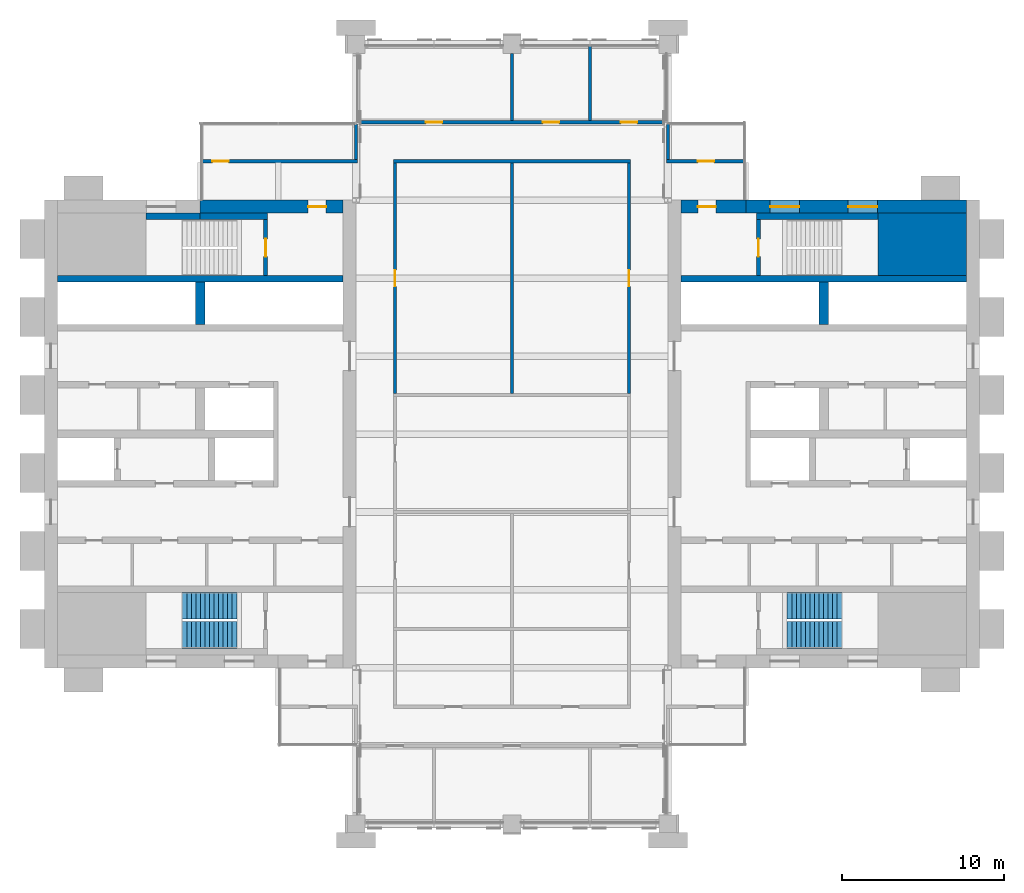
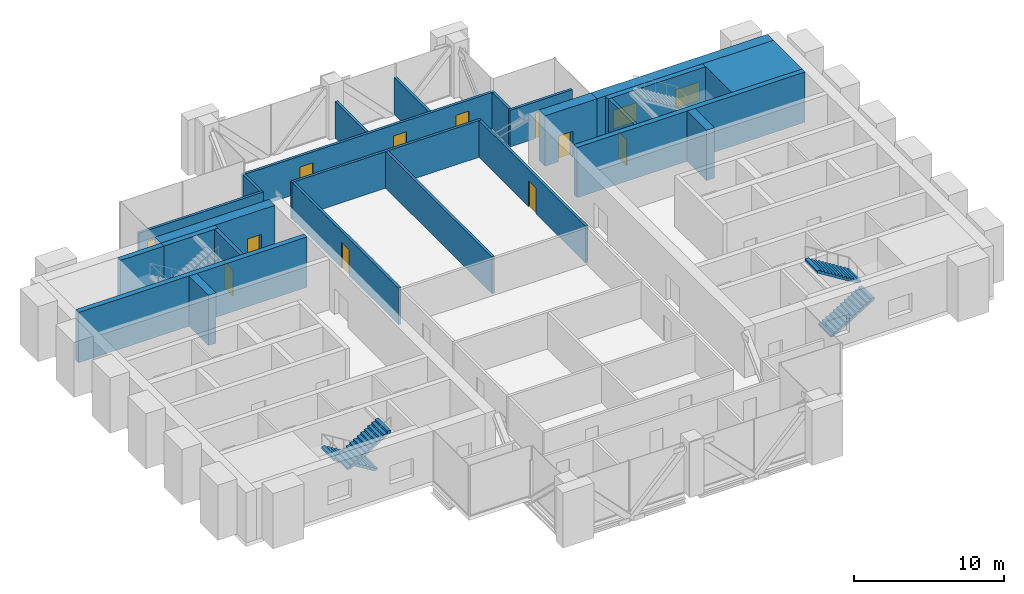
# One storey, part 11 of 13: 24 walls, 11 doors, 4 stair flights, 2 windows, 13 openings, 2 elements without a shape of their own.
"""IFC4 building model written with IfcOpenShell, lengths in metres."""

from ifc_helpers import new_model, si_unit, direction, frame, frame_2d, origin, place, context, subcontext, project, spatial, polyline, rectangle, outline, extrude, material, layer, layer_set, type_object, element, fill, aggregate, save


model = new_model("IFC4")

# Units and contexts
model_context = context("Model", 3, precision=1e-05, world=origin(), true_north=direction((0.0, 1.0)))
body_context = subcontext(model_context, "Body", "Model", "MODEL_VIEW")
ifc_project = project(units=[si_unit("LENGTHUNIT", "METRE"), si_unit("AREAUNIT", "SQUARE_METRE"), si_unit("VOLUMEUNIT", "CUBIC_METRE"), si_unit("PLANEANGLEUNIT", "RADIAN"), si_unit("MASSUNIT", "GRAM", prefix="KILO")], contexts=[model_context])

# Site, building, storey
site_placement = place(None, origin())
site = spatial("IfcSite", under=ifc_project, at=site_placement, CompositionType="ELEMENT")
building_placement = place(site_placement, origin())
building = spatial("IfcBuilding", under=site, at=building_placement, Name="Baori Bourse Tower", CompositionType="ELEMENT")
storey_placement = place(building_placement, frame((0.0, 0.0, 265.199951171875)))
storey = spatial("IfcBuildingStorey", under=building, at=storey_placement, Name="L59", CompositionType="ELEMENT", Elevation=265.199951171875)

# Wall
ifc_material_1 = material(Name="Concrete f'c 50 MPa", Category="concrete")
wall_type_1 = type_object("IfcWallType", Name="Core corner block f'c 50", PredefinedType="SHEAR", material=ifc_material_1)
wall_1_placement = place(storey_placement, frame((51.35009765625, 35.675048828125, 0.0), z_axis=(0.0, 0.0, 1.0), x_axis=(1.0, 0.0, 0.0)))
element("IfcWall", 1, at=wall_1_placement, inside=storey, type_object=wall_type_1, Name="Core wall E24", PredefinedType="SHEAR", context=body_context, shape_type="SweptSolid", body=[
    extrude(rectangle(XDim=5.449951171875, YDim=3.85009765625, at=frame_2d((2.72509765625, 0.0))), origin(), (0.0, 0.0, 1.0), 4.10009765625),
])

# Wall, opening, door
ifc_material_2 = material(Name="Concrete f'c 50 MPa", Category="concrete")
ifc_layer_1 = layer(ifc_material_2, 0.800048828125)
ifc_layer_set_1 = layer_set([ifc_layer_1], Name="Core wall 800 f'c 50")
wall_type_2 = type_object("IfcWallType", Name="Core wall 800 f'c 50", PredefinedType="SHEAR", material=ifc_layer_set_1)
wall_2_placement = place(storey_placement, frame((9.60009765625, 38.0, 0.0), z_axis=(0.0, 0.0, 1.0), x_axis=(1.0, 0.0, 0.0)))
wall_2 = element("IfcWall", 2, at=wall_2_placement, inside=storey, type_object=wall_type_2, Name="Core wall W29", PredefinedType="SHEAR", context=body_context, shape_type="SweptSolid", body=[
    extrude(rectangle(XDim=8.7998046875, YDim=0.800048828125, at=frame_2d((4.39990234375, 0.0))), origin(), (0.0, 0.0, 1.0), 4.10009765625),
])
opening_1_placement = place(wall_2_placement, frame((6.64990234375, 0.0, 0.0)))
opening_1 = element("IfcOpeningElement", 3, at=opening_1_placement, cuts=wall_2, Name="Opening L59-D104", PredefinedType="OPENING", context=body_context, shape_type="SweptSolid", body=[
    extrude(rectangle(XDim=1.10009765625, YDim=2.10009765625, at=frame_2d((0.550048828125, 1.050048828125))), frame((0.0, 0.409912109375, 0.0), z_axis=(0.0, -1.0, 0.0), x_axis=(1.0, 0.0, 0.0)), (0.0, 0.0, 1.0), 0.820068359375),
])
ifc_material_3 = material(Name="Painted steel door", Category="steel")
door_type_1 = type_object("IfcDoorType", Name="Stair door 1100", OperationType="SINGLE_SWING_LEFT", PredefinedType="DOOR", material=ifc_material_3)
door_1_placement = place(opening_1_placement, origin())
door_1 = element("IfcDoor", 4, at=door_1_placement, inside=storey, type_object=door_type_1, Name="Stair vestibule door B W L59", OperationType="SINGLE_SWING_LEFT", OverallHeight=2.10009765625, OverallWidth=1.10009765625, PredefinedType="DOOR", context=body_context, shape_type="SweptSolid", body=[
    extrude(rectangle(XDim=1.10009765625, YDim=2.10009765625, at=frame_2d((0.550048828125, 1.050048828125))), frame((0.0, 0.02490234375, 0.0), z_axis=(0.0, -1.0, 0.0), x_axis=(1.0, 0.0, 0.0)), (0.0, 0.0, 1.0), 0.050048828125),
])
fill(opening_1, door_1)

# Wall, openings, windows
wall_3_placement = place(storey_placement, frame((43.199951171875, 38.0, 0.0), z_axis=(0.0, 0.0, 1.0), x_axis=(1.0, 0.0, 0.0)))
wall_3 = element("IfcWall", 5, at=wall_3_placement, inside=storey, type_object=wall_type_2, Name="Core wall E27", PredefinedType="SHEAR", context=body_context, shape_type="SweptSolid", body=[
    extrude(rectangle(XDim=13.60009765625, YDim=0.800048828125, at=frame_2d((6.800048828125, 0.0))), origin(), (0.0, 0.0, 1.0), 4.10009765625),
])
opening_2_placement = place(wall_3_placement, frame((6.300048828125, 0.0, 0.89990234375)))
opening_2 = element("IfcOpeningElement", 6, at=opening_2_placement, cuts=wall_3, Name="Opening L59-KW205", PredefinedType="OPENING", context=body_context, shape_type="SweptSolid", body=[
    extrude(rectangle(XDim=1.800048828125, YDim=1.5, at=frame_2d((0.89990234375, 0.75))), frame((0.0, 0.409912109375, 0.0), z_axis=(0.0, -1.0, 0.0), x_axis=(1.0, 0.0, 0.0)), (0.0, 0.0, 1.0), 0.820068359375),
])
opening_3_placement = place(wall_3_placement, frame((1.5, 0.0, 0.89990234375)))
opening_3 = element("IfcOpeningElement", 7, at=opening_3_placement, cuts=wall_3, Name="Opening L59-KW206", PredefinedType="OPENING", context=body_context, shape_type="SweptSolid", body=[
    extrude(rectangle(XDim=1.800048828125, YDim=1.5, at=frame_2d((0.89990234375, 0.75))), frame((0.0, 0.409912109375, 0.0), z_axis=(0.0, -1.0, 0.0), x_axis=(1.0, 0.0, 0.0)), (0.0, 0.0, 1.0), 0.820068359375),
])
ifc_material_4 = material(Name="Pale anodised aluminium", Category="aluminium")
window_type = type_object("IfcWindowType", Name="Stair window 1800 x 1500", PartitioningType="SINGLE_PANEL", PredefinedType="WINDOW", material=ifc_material_4)
window_1_placement = place(opening_2_placement, origin())
window_1 = element("IfcWindow", 8, at=window_1_placement, inside=storey, type_object=window_type, Name="Stair window E L59 5", OverallHeight=1.5, OverallWidth=1.800048828125, PartitioningType="SINGLE_PANEL", PredefinedType="WINDOW", context=body_context, shape_type="SweptSolid", body=[
    extrude(rectangle(XDim=1.800048828125, YDim=1.5, at=frame_2d((0.89990234375, 0.75))), frame((0.0, 0.030029296875, 0.0), z_axis=(0.0, -1.0, 0.0), x_axis=(1.0, 0.0, 0.0)), (0.0, 0.0, 1.0), 0.06005859375),
])
fill(opening_2, window_1)
window_2_placement = place(opening_3_placement, origin())
window_2 = element("IfcWindow", 9, at=window_2_placement, inside=storey, type_object=window_type, Name="Stair window E L59 6", OverallHeight=1.5, OverallWidth=1.800048828125, PartitioningType="SINGLE_PANEL", PredefinedType="WINDOW", context=body_context, shape_type="SweptSolid", body=[
    extrude(rectangle(XDim=1.800048828125, YDim=1.5, at=frame_2d((0.89990234375, 0.75))), frame((0.0, 0.030029296875, 0.0), z_axis=(0.0, -1.0, 0.0), x_axis=(1.0, 0.0, 0.0)), (0.0, 0.0, 1.0), 0.06005859375),
])
fill(opening_3, window_2)

# Wall, opening, door
wall_4_placement = place(storey_placement, frame((39.199951171875, 38.0, 0.0), z_axis=(0.0, 0.0, 1.0), x_axis=(1.0, 0.0, 0.0)))
wall_4 = element("IfcWall", 10, at=wall_4_placement, inside=storey, type_object=wall_type_2, Name="Core wall E28", PredefinedType="SHEAR", context=body_context, shape_type="SweptSolid", body=[
    extrude(rectangle(XDim=4.0, YDim=0.800048828125, at=frame_2d((2.0, 0.0))), origin(), (0.0, 0.0, 1.0), 4.10009765625),
])
opening_4_placement = place(wall_4_placement, frame((1.050048828125, 0.0, 0.0)))
opening_4 = element("IfcOpeningElement", 11, at=opening_4_placement, cuts=wall_4, Name="Opening L59-D204", PredefinedType="OPENING", context=body_context, shape_type="SweptSolid", body=[
    extrude(rectangle(XDim=1.10009765625, YDim=2.10009765625, at=frame_2d((0.550048828125, 1.050048828125))), frame((0.0, 0.409912109375, 0.0), z_axis=(0.0, -1.0, 0.0), x_axis=(1.0, 0.0, 0.0)), (0.0, 0.0, 1.0), 0.820068359375),
])
door_2_placement = place(opening_4_placement, origin())
door_2 = element("IfcDoor", 12, at=door_2_placement, inside=storey, type_object=door_type_1, Name="Stair vestibule door B E L59", OperationType="SINGLE_SWING_LEFT", OverallHeight=2.10009765625, OverallWidth=1.10009765625, PredefinedType="DOOR", context=body_context, shape_type="SweptSolid", body=[
    extrude(rectangle(XDim=1.10009765625, YDim=2.10009765625, at=frame_2d((0.550048828125, 1.050048828125))), frame((0.0, 0.02490234375, 0.0), z_axis=(0.0, -1.0, 0.0), x_axis=(1.0, 0.0, 0.0)), (0.0, 0.0, 1.0), 0.050048828125),
])
fill(opening_4, door_2)

ifc_material_5 = material(Name="Gypsum board partition")
ifc_layer_2 = layer(ifc_material_5, 0.199951171875)
ifc_layer_set_2 = layer_set([ifc_layer_2], Name="Plant room wall 200")
wall_type_3 = type_object("IfcWallType", Name="Plant room wall 200", PredefinedType="PARTITIONING", material=ifc_layer_set_2)
wall_5_placement = place(storey_placement, frame((9.699951171875, 40.800048828125, 0.0), z_axis=(0.0, 0.0, 1.0), x_axis=(1.0, 0.0, 0.0)))
wall_5 = element("IfcWall", 13, at=wall_5_placement, inside=storey, type_object=wall_type_3, Name="Partition", PredefinedType="PARTITIONING", context=body_context, shape_type="SweptSolid", body=[
    extrude(rectangle(XDim=9.60009765625, YDim=0.199951171875, at=frame_2d((4.800048828125, 0.0))), origin(), (0.0, 0.0, 1.0), 2.99267578125),
])
opening_5_placement = place(wall_5_placement, frame((0.64990234375, 0.0, 0.0)))
opening_5 = element("IfcOpeningElement", 14, at=opening_5_placement, cuts=wall_5, Name="Opening L59-D08", PredefinedType="OPENING", context=body_context, shape_type="SweptSolid", body=[
    extrude(rectangle(XDim=1.0, YDim=2.10009765625, at=frame_2d((0.5, 1.050048828125))), frame((0.0, 0.10986328125, 0.0), z_axis=(0.0, -1.0, 0.0), x_axis=(1.0, 0.0, 0.0)), (0.0, 0.0, 1.0), 0.219970703125),
])
ifc_material_6 = material(Name="Timber door leaf", Category="wood")
door_type_2 = type_object("IfcDoorType", Name="Door 1000 x 2100", OperationType="SINGLE_SWING_LEFT", PredefinedType="DOOR", material=ifc_material_6)
door_3_placement = place(opening_5_placement, origin())
door_3 = element("IfcDoor", 15, at=door_3_placement, inside=storey, type_object=door_type_2, Name="Door", OperationType="SINGLE_SWING_RIGHT", OverallHeight=2.10009765625, OverallWidth=1.0, PredefinedType="DOOR", context=body_context, shape_type="SweptSolid", body=[
    extrude(rectangle(XDim=1.0, YDim=2.10009765625, at=frame_2d((0.5, 1.050048828125))), frame((0.0, 0.02490234375, 0.0), z_axis=(0.0, -1.0, 0.0), x_axis=(1.0, 0.0, 0.0)), (0.0, 0.0, 1.0), 0.050048828125),
])
fill(opening_5, door_3)

# Wall
wall_6_placement = place(storey_placement, frame((21.5, 40.800048828125, 0.0), z_axis=(0.0, 0.0, 1.0), x_axis=(1.0, 0.0, 0.0)))
element("IfcWall", 16, at=wall_6_placement, inside=storey, type_object=wall_type_3, Name="Partition", PredefinedType="PARTITIONING", context=body_context, shape_type="SweptSolid", body=[
    extrude(rectangle(XDim=14.60009765625, YDim=0.199951171875, at=frame_2d((7.300048828125, 0.0))), origin(), (0.0, 0.0, 1.0), 2.99267578125),
])

# Wall, opening, door
wall_7_placement = place(storey_placement, frame((38.300048828125, 40.800048828125, 0.0), z_axis=(0.0, 0.0, 1.0), x_axis=(1.0, 0.0, 0.0)))
wall_7 = element("IfcWall", 17, at=wall_7_placement, inside=storey, type_object=wall_type_3, Name="Partition", PredefinedType="PARTITIONING", context=body_context, shape_type="SweptSolid", body=[
    extrude(rectangle(XDim=4.800048828125, YDim=0.199951171875, at=frame_2d((2.39990234375, 0.0))), origin(), (0.0, 0.0, 1.0), 2.99267578125),
])
opening_6_placement = place(wall_7_placement, frame((1.949951171875, 0.0, 0.0)))
opening_6 = element("IfcOpeningElement", 18, at=opening_6_placement, cuts=wall_7, Name="Opening L59-D09", PredefinedType="OPENING", context=body_context, shape_type="SweptSolid", body=[
    extrude(rectangle(XDim=1.0, YDim=2.10009765625, at=frame_2d((0.5, 1.050048828125))), frame((0.0, 0.10986328125, 0.0), z_axis=(0.0, -1.0, 0.0), x_axis=(1.0, 0.0, 0.0)), (0.0, 0.0, 1.0), 0.219970703125),
])
door_4_placement = place(opening_6_placement, origin())
door_4 = element("IfcDoor", 19, at=door_4_placement, inside=storey, type_object=door_type_2, Name="Door", OperationType="SINGLE_SWING_LEFT", OverallHeight=2.10009765625, OverallWidth=1.0, PredefinedType="DOOR", context=body_context, shape_type="SweptSolid", body=[
    extrude(rectangle(XDim=1.0, YDim=2.10009765625, at=frame_2d((0.5, 1.050048828125))), frame((0.0, 0.02490234375, 0.0), z_axis=(0.0, -1.0, 0.0), x_axis=(1.0, 0.0, 0.0)), (0.0, 0.0, 1.0), 0.050048828125),
])
fill(opening_6, door_4)

# Wall, openings, doors
wall_8_placement = place(storey_placement, frame((19.10009765625, 43.199951171875, 0.0), z_axis=(0.0, 0.0, 1.0), x_axis=(1.0, 0.0, 0.0)))
wall_8 = element("IfcWall", 20, at=wall_8_placement, inside=storey, type_object=wall_type_3, Name="Partition", PredefinedType="PARTITIONING", context=body_context, shape_type="SweptSolid", body=[
    extrude(rectangle(XDim=19.39990234375, YDim=0.199951171875, at=frame_2d((9.699951171875, 0.0))), origin(), (0.0, 0.0, 1.0), 2.99267578125),
])
opening_7_placement = place(wall_8_placement, frame((4.39990234375, 0.0, 0.0)))
opening_7 = element("IfcOpeningElement", 21, at=opening_7_placement, cuts=wall_8, Name="Opening L59-D10", PredefinedType="OPENING", context=body_context, shape_type="SweptSolid", body=[
    extrude(rectangle(XDim=1.0, YDim=2.10009765625, at=frame_2d((0.5, 1.050048828125))), frame((0.0, 0.10986328125, 0.0), z_axis=(0.0, -1.0, 0.0), x_axis=(1.0, 0.0, 0.0)), (0.0, 0.0, 1.0), 0.219970703125),
])
opening_8_placement = place(wall_8_placement, frame((11.60009765625, 0.0, 0.0)))
opening_8 = element("IfcOpeningElement", 22, at=opening_8_placement, cuts=wall_8, Name="Opening L59-D11", PredefinedType="OPENING", context=body_context, shape_type="SweptSolid", body=[
    extrude(rectangle(XDim=1.0, YDim=2.10009765625, at=frame_2d((0.5, 1.050048828125))), frame((0.0, 0.10986328125, 0.0), z_axis=(0.0, -1.0, 0.0), x_axis=(1.0, 0.0, 0.0)), (0.0, 0.0, 1.0), 0.219970703125),
])
opening_9_placement = place(wall_8_placement, frame((16.39990234375, 0.0, 0.0)))
opening_9 = element("IfcOpeningElement", 23, at=opening_9_placement, cuts=wall_8, Name="Opening L59-D12", PredefinedType="OPENING", context=body_context, shape_type="SweptSolid", body=[
    extrude(rectangle(XDim=1.0, YDim=2.10009765625, at=frame_2d((0.5, 1.050048828125))), frame((0.0, 0.10986328125, 0.0), z_axis=(0.0, -1.0, 0.0), x_axis=(1.0, 0.0, 0.0)), (0.0, 0.0, 1.0), 0.219970703125),
])
door_5_placement = place(opening_7_placement, origin())
door_5 = element("IfcDoor", 24, at=door_5_placement, inside=storey, type_object=door_type_2, Name="Door", OperationType="SINGLE_SWING_RIGHT", OverallHeight=2.10009765625, OverallWidth=1.0, PredefinedType="DOOR", context=body_context, shape_type="SweptSolid", body=[
    extrude(rectangle(XDim=1.0, YDim=2.10009765625, at=frame_2d((0.5, 1.050048828125))), frame((0.0, 0.02490234375, 0.0), z_axis=(0.0, -1.0, 0.0), x_axis=(1.0, 0.0, 0.0)), (0.0, 0.0, 1.0), 0.050048828125),
])
fill(opening_7, door_5)
door_6_placement = place(opening_8_placement, origin())
door_6 = element("IfcDoor", 25, at=door_6_placement, inside=storey, type_object=door_type_2, Name="Door", OperationType="SINGLE_SWING_LEFT", OverallHeight=2.10009765625, OverallWidth=1.0, PredefinedType="DOOR", context=body_context, shape_type="SweptSolid", body=[
    extrude(rectangle(XDim=1.0, YDim=2.10009765625, at=frame_2d((0.5, 1.050048828125))), frame((0.0, 0.02490234375, 0.0), z_axis=(0.0, -1.0, 0.0), x_axis=(1.0, 0.0, 0.0)), (0.0, 0.0, 1.0), 0.050048828125),
])
fill(opening_8, door_6)
door_7_placement = place(opening_9_placement, origin())
door_7 = element("IfcDoor", 26, at=door_7_placement, inside=storey, type_object=door_type_2, Name="Door", OperationType="SINGLE_SWING_LEFT", OverallHeight=2.10009765625, OverallWidth=1.0, PredefinedType="DOOR", context=body_context, shape_type="SweptSolid", body=[
    extrude(rectangle(XDim=1.0, YDim=2.10009765625, at=frame_2d((0.5, 1.050048828125))), frame((0.0, 0.02490234375, 0.0), z_axis=(0.0, -1.0, 0.0), x_axis=(1.0, 0.0, 0.0)), (0.0, 0.0, 1.0), 0.050048828125),
])
fill(opening_9, door_7)

# Wall
wall_9_placement = place(storey_placement, frame((19.199951171875, 40.89990234375, 0.0), z_axis=(0.0, 0.0, 1.0), x_axis=(0.0, 1.0, 0.0)))
element("IfcWall", 27, at=wall_9_placement, inside=storey, type_object=wall_type_3, Name="Partition", PredefinedType="PARTITIONING", context=body_context, shape_type="SweptSolid", body=[
    extrude(rectangle(XDim=2.2001953125, YDim=0.199951171875, at=frame_2d((1.10009765625, 0.0))), origin(), (0.0, 0.0, 1.0), 2.99267578125),
])

# Wall, opening, door
wall_10_placement = place(storey_placement, frame((21.60009765625, 26.5, 0.0), z_axis=(0.0, 0.0, 1.0), x_axis=(0.0, 1.0, 0.0)))
wall_10 = element("IfcWall", 28, at=wall_10_placement, inside=storey, type_object=wall_type_3, Name="Partition", PredefinedType="PARTITIONING", context=body_context, shape_type="SweptSolid", body=[
    extrude(rectangle(XDim=14.199951171875, YDim=0.199951171875, at=frame_2d((7.10009765625, 0.0))), origin(), (0.0, 0.0, 1.0), 2.99267578125),
])
opening_10_placement = place(wall_10_placement, frame((6.60009765625, 0.0, 0.0)))
opening_10 = element("IfcOpeningElement", 29, at=opening_10_placement, cuts=wall_10, Name="Opening L59-D15", PredefinedType="OPENING", context=body_context, shape_type="SweptSolid", body=[
    extrude(rectangle(XDim=1.0, YDim=2.10009765625, at=frame_2d((0.5, 1.050048828125))), frame((0.0, 0.10986328125, 0.0), z_axis=(0.0, -1.0, 0.0), x_axis=(1.0, 0.0, 0.0)), (0.0, 0.0, 1.0), 0.219970703125),
])
door_8_placement = place(opening_10_placement, origin())
door_8 = element("IfcDoor", 30, at=door_8_placement, inside=storey, type_object=door_type_2, Name="Door", OperationType="SINGLE_SWING_LEFT", OverallHeight=2.10009765625, OverallWidth=1.0, PredefinedType="DOOR", context=body_context, shape_type="SweptSolid", body=[
    extrude(rectangle(XDim=1.0, YDim=2.10009765625, at=frame_2d((0.5, 1.050048828125))), frame((0.0, 0.02490234375, 0.0), z_axis=(0.0, -1.0, 0.0), x_axis=(1.0, 0.0, 0.0)), (0.0, 0.0, 1.0), 0.050048828125),
])
fill(opening_10, door_8)

# Walls
wall_11_placement = place(storey_placement, frame((28.800048828125, 26.5, 0.0), z_axis=(0.0, 0.0, 1.0), x_axis=(0.0, 1.0, 0.0)))
element("IfcWall", 31, at=wall_11_placement, inside=storey, type_object=wall_type_3, Name="Partition", PredefinedType="PARTITIONING", context=body_context, shape_type="SweptSolid", body=[
    extrude(rectangle(XDim=14.199951171875, YDim=0.199951171875, at=frame_2d((7.10009765625, 0.0))), origin(), (0.0, 0.0, 1.0), 2.99267578125),
])
wall_12_placement = place(storey_placement, frame((28.800048828125, 43.300048828125, 0.0), z_axis=(0.0, 0.0, 1.0), x_axis=(0.0, 1.0, 0.0)))
element("IfcWall", 32, at=wall_12_placement, inside=storey, type_object=wall_type_3, Name="Partition", PredefinedType="PARTITIONING", context=body_context, shape_type="SweptSolid", body=[
    extrude(rectangle(XDim=4.14990234375, YDim=0.199951171875, at=frame_2d((2.074951171875, 0.0))), origin(), (0.0, 0.0, 1.0), 2.99267578125),
])
wall_13_placement = place(storey_placement, frame((33.60009765625, 43.300048828125, 0.0), z_axis=(0.0, 0.0, 1.0), x_axis=(0.0, 1.0, 0.0)))
element("IfcWall", 33, at=wall_13_placement, inside=storey, type_object=wall_type_3, Name="Partition", PredefinedType="PARTITIONING", context=body_context, shape_type="SweptSolid", body=[
    extrude(rectangle(XDim=4.599853515625, YDim=0.199951171875, at=frame_2d((2.2998046875, 0.0))), origin(), (0.0, 0.0, 1.0), 2.99267578125),
])

# Wall, opening, door
wall_14_placement = place(storey_placement, frame((36.0, 26.5, 0.0), z_axis=(0.0, 0.0, 1.0), x_axis=(0.0, 1.0, 0.0)))
wall_14 = element("IfcWall", 34, at=wall_14_placement, inside=storey, type_object=wall_type_3, Name="Partition", PredefinedType="PARTITIONING", context=body_context, shape_type="SweptSolid", body=[
    extrude(rectangle(XDim=14.199951171875, YDim=0.199951171875, at=frame_2d((7.10009765625, 0.0))), origin(), (0.0, 0.0, 1.0), 2.99267578125),
])
opening_11_placement = place(wall_14_placement, frame((6.60009765625, 0.0, 0.0)))
opening_11 = element("IfcOpeningElement", 35, at=opening_11_placement, cuts=wall_14, Name="Opening L59-D17", PredefinedType="OPENING", context=body_context, shape_type="SweptSolid", body=[
    extrude(rectangle(XDim=1.0, YDim=2.10009765625, at=frame_2d((0.5, 1.050048828125))), frame((0.0, 0.10986328125, 0.0), z_axis=(0.0, -1.0, 0.0), x_axis=(1.0, 0.0, 0.0)), (0.0, 0.0, 1.0), 0.219970703125),
])
door_9_placement = place(opening_11_placement, origin())
door_9 = element("IfcDoor", 36, at=door_9_placement, inside=storey, type_object=door_type_2, Name="Door", OperationType="SINGLE_SWING_RIGHT", OverallHeight=2.10009765625, OverallWidth=1.0, PredefinedType="DOOR", context=body_context, shape_type="SweptSolid", body=[
    extrude(rectangle(XDim=1.0, YDim=2.10009765625, at=frame_2d((0.5, 1.050048828125))), frame((0.0, 0.02490234375, 0.0), z_axis=(0.0, -1.0, 0.0), x_axis=(1.0, 0.0, 0.0)), (0.0, 0.0, 1.0), 0.050048828125),
])
fill(opening_11, door_9)

# Wall
wall_15_placement = place(storey_placement, frame((38.39990234375, 40.89990234375, 0.0), z_axis=(0.0, 0.0, 1.0), x_axis=(0.0, 1.0, 0.0)))
element("IfcWall", 37, at=wall_15_placement, inside=storey, type_object=wall_type_3, Name="Partition", PredefinedType="PARTITIONING", context=body_context, shape_type="SweptSolid", body=[
    extrude(rectangle(XDim=2.2001953125, YDim=0.199951171875, at=frame_2d((1.10009765625, 0.0))), origin(), (0.0, 0.0, 1.0), 2.99267578125),
])

# Wall, opening, door
ifc_material_7 = material(Name="Concrete f'c 50 MPa", Category="concrete")
ifc_layer_3 = layer(ifc_material_7, 0.25)
ifc_layer_set_3 = layer_set([ifc_layer_3], Name="Shaft wall 250 f'c 50")
wall_type_4 = type_object("IfcWallType", Name="Shaft wall 250 f'c 50", PredefinedType="SHEAR", material=ifc_layer_set_3)
wall_16_placement = place(storey_placement, frame((13.625, 33.75, 0.0), z_axis=(0.0, 0.0, 1.0), x_axis=(0.0, 1.0, 0.0)))
wall_16 = element("IfcWall", 38, at=wall_16_placement, inside=storey, type_object=wall_type_4, Name="Core wall W25", PredefinedType="SHEAR", context=body_context, shape_type="SweptSolid", body=[
    extrude(rectangle(XDim=3.449951171875, YDim=0.25, at=frame_2d((1.72509765625, 0.0))), origin(), (0.0, 0.0, 1.0), 4.10009765625),
])
opening_12_placement = place(wall_16_placement, frame((1.175048828125, 0.0, 0.0)))
opening_12 = element("IfcOpeningElement", 39, at=opening_12_placement, cuts=wall_16, Name="Opening L59-D103", PredefinedType="OPENING", context=body_context, shape_type="SweptSolid", body=[
    extrude(rectangle(XDim=1.10009765625, YDim=2.10009765625, at=frame_2d((0.550048828125, 1.050048828125))), frame((0.0, 0.135009765625, 0.0), z_axis=(0.0, -1.0, 0.0), x_axis=(1.0, 0.0, 0.0)), (0.0, 0.0, 1.0), 0.27001953125),
])
door_10_placement = place(opening_12_placement, origin())
door_10 = element("IfcDoor", 40, at=door_10_placement, inside=storey, type_object=door_type_1, Name="Stair door B W L59", OperationType="SINGLE_SWING_LEFT", OverallHeight=2.10009765625, OverallWidth=1.10009765625, PredefinedType="DOOR", context=body_context, shape_type="SweptSolid", body=[
    extrude(rectangle(XDim=1.10009765625, YDim=2.10009765625, at=frame_2d((0.550048828125, 1.050048828125))), frame((0.0, 0.02490234375, 0.0), z_axis=(0.0, -1.0, 0.0), x_axis=(1.0, 0.0, 0.0)), (0.0, 0.0, 1.0), 0.050048828125),
])
fill(opening_12, door_10)

wall_17_placement = place(storey_placement, frame((43.97509765625, 33.75, 0.0), z_axis=(0.0, 0.0, 1.0), x_axis=(0.0, 1.0, 0.0)))
wall_17 = element("IfcWall", 41, at=wall_17_placement, inside=storey, type_object=wall_type_4, Name="Core wall E25", PredefinedType="SHEAR", context=body_context, shape_type="SweptSolid", body=[
    extrude(rectangle(XDim=3.449951171875, YDim=0.25, at=frame_2d((1.72509765625, 0.0))), origin(), (0.0, 0.0, 1.0), 4.10009765625),
])
opening_13_placement = place(wall_17_placement, frame((1.175048828125, 0.0, 0.0)))
opening_13 = element("IfcOpeningElement", 42, at=opening_13_placement, cuts=wall_17, Name="Opening L59-D203", PredefinedType="OPENING", context=body_context, shape_type="SweptSolid", body=[
    extrude(rectangle(XDim=1.10009765625, YDim=2.10009765625, at=frame_2d((0.550048828125, 1.050048828125))), frame((0.0, 0.135009765625, 0.0), z_axis=(0.0, -1.0, 0.0), x_axis=(1.0, 0.0, 0.0)), (0.0, 0.0, 1.0), 0.27001953125),
])
door_11_placement = place(opening_13_placement, origin())
door_11 = element("IfcDoor", 43, at=door_11_placement, inside=storey, type_object=door_type_1, Name="Stair door B E L59", OperationType="SINGLE_SWING_LEFT", OverallHeight=2.10009765625, OverallWidth=1.10009765625, PredefinedType="DOOR", context=body_context, shape_type="SweptSolid", body=[
    extrude(rectangle(XDim=1.10009765625, YDim=2.10009765625, at=frame_2d((0.550048828125, 1.050048828125))), frame((0.0, 0.02490234375, 0.0), z_axis=(0.0, -1.0, 0.0), x_axis=(1.0, 0.0, 0.0)), (0.0, 0.0, 1.0), 0.050048828125),
])
fill(opening_13, door_11)

# Walls
ifc_material_8 = material(Name="Concrete f'c 50 MPa", Category="concrete")
ifc_layer_4 = layer(ifc_material_8, 0.39990234375)
ifc_layer_set_4 = layer_set([ifc_layer_4], Name="Shaft wall 400 f'c 50")
wall_type_5 = type_object("IfcWallType", Name="Shaft wall 400 f'c 50", PredefinedType="SHEAR", material=ifc_layer_set_4)
wall_18_placement = place(storey_placement, frame((0.800048828125, 33.550048828125, 0.0), z_axis=(0.0, 0.0, 1.0), x_axis=(1.0, 0.0, 0.0)))
element("IfcWall", 44, at=wall_18_placement, inside=storey, type_object=wall_type_5, Name="Core wall W23", PredefinedType="SHEAR", context=body_context, shape_type="SweptSolid", body=[
    extrude(rectangle(XDim=17.599853515625, YDim=0.39990234375, at=frame_2d((8.7998046875, 0.0))), origin(), (0.0, 0.0, 1.0), 4.10009765625),
])
wall_19_placement = place(storey_placement, frame((6.25, 37.39990234375, 0.0), z_axis=(0.0, 0.0, 1.0), x_axis=(1.0, 0.0, 0.0)))
element("IfcWall", 45, at=wall_19_placement, inside=storey, type_object=wall_type_5, Name="Core wall W26", PredefinedType="SHEAR", context=body_context, shape_type="SweptSolid", body=[
    extrude(rectangle(XDim=3.35009765625, YDim=0.39990234375, at=frame_2d((1.675048828125, 0.0))), origin(), (0.0, 0.0, 1.0), 4.10009765625),
])
wall_20_placement = place(storey_placement, frame((9.60009765625, 37.39990234375, 0.0), z_axis=(0.0, 0.0, 1.0), x_axis=(1.0, 0.0, 0.0)))
element("IfcWall", 46, at=wall_20_placement, inside=storey, type_object=wall_type_5, Name="Core wall W27", PredefinedType="SHEAR", context=body_context, shape_type="SweptSolid", body=[
    extrude(rectangle(XDim=4.14990234375, YDim=0.39990234375, at=frame_2d((2.074951171875, 0.0))), origin(), (0.0, 0.0, 1.0), 4.10009765625),
])
wall_21_placement = place(storey_placement, frame((39.199951171875, 33.550048828125, 0.0), z_axis=(0.0, 0.0, 1.0), x_axis=(1.0, 0.0, 0.0)))
element("IfcWall", 47, at=wall_21_placement, inside=storey, type_object=wall_type_5, Name="Core wall E23", PredefinedType="SHEAR", context=body_context, shape_type="SweptSolid", body=[
    extrude(rectangle(XDim=17.60009765625, YDim=0.39990234375, at=frame_2d((8.800048828125, 0.0))), origin(), (0.0, 0.0, 1.0), 4.10009765625),
])
wall_22_placement = place(storey_placement, frame((43.85009765625, 37.39990234375, 0.0), z_axis=(0.0, 0.0, 1.0), x_axis=(1.0, 0.0, 0.0)))
element("IfcWall", 48, at=wall_22_placement, inside=storey, type_object=wall_type_5, Name="Core wall E26", PredefinedType="SHEAR", context=body_context, shape_type="SweptSolid", body=[
    extrude(rectangle(XDim=7.5, YDim=0.39990234375, at=frame_2d((3.75, 0.0))), origin(), (0.0, 0.0, 1.0), 4.10009765625),
])
ifc_material_9 = material(Name="Concrete f'c 50 MPa", Category="concrete")
ifc_layer_5 = layer(ifc_material_9, 0.60009765625)
ifc_layer_set_5 = layer_set([ifc_layer_5], Name="Shaft wall 600 f'c 50")
wall_type_6 = type_object("IfcWallType", Name="Shaft wall 600 f'c 50", PredefinedType="SHEAR", material=ifc_layer_set_5)
for number, where, z_axis, x_axis, name in (
    (49, (9.60009765625, 30.75, 0.0), (0.0, 0.0, 1.0), (0.0, 1.0, 0.0), "Core wall W22"),
    (50, (48.0, 30.75, 0.0), (0.0, 0.0, 1.0), (0.0, 1.0, 0.0), "Core wall E22"),
):
    element("IfcWall", number, at=place(storey_placement, frame(where, z_axis=z_axis, x_axis=x_axis)), inside=storey, type_object=wall_type_6, Name=name, PredefinedType="SHEAR", context=body_context, shape_type="SweptSolid", body=[
        extrude(rectangle(XDim=2.60009765625, YDim=0.60009765625, at=frame_2d((1.300048828125, 0.0))), origin(), (0.0, 0.0, 1.0), 4.10009765625),
    ])

# Stair, stair flights
ifc_material_10 = material(Name="Concrete f'c 50 MPa", Category="concrete")
stair_type = type_object("IfcStairType", Name="Core stair", PredefinedType="HALF_TURN_STAIR", material=ifc_material_10)
stair_1_placement = place(storey_placement, origin())
stair_1 = element("IfcStair", 51, at=stair_1_placement, inside=storey, type_object=stair_type, Name="L59 Stair WA", PredefinedType="HALF_TURN_STAIR")
ifc_material_11 = material(Name="Concrete f'c 50 MPa", Category="concrete")
stair_flight_type = type_object("IfcStairFlightType", Name="Core stair flight", PredefinedType="STRAIGHT", material=ifc_material_11)
stair_flight_1_placement = place(storey_placement, frame((11.85009765625, 13.425048828125, 0.0), z_axis=(0.0, 0.0, 1.0), x_axis=(-1.0, 0.0, 0.0)))
stair_flight_1 = element("IfcStairFlight", 52, at=stair_flight_1_placement, type_object=stair_flight_type, Name="ST1 flight 1", NumberOfRisers=13, NumberOfTreads=12, PredefinedType="STRAIGHT", RiserHeight=0.173076923, TreadLength=0.28, context=body_context, shape_type="SweptSolid", body=[
    extrude(outline(polyline([(0.0, 0.0), (0.0, 0.173095703125), (0.280029296875, 0.173095703125), (0.280029296875, 0.34619140625), (0.56005859375, 0.34619140625), (0.56005859375, 0.519287109375), (0.840087890625, 0.519287109375), (0.840087890625, 0.6923828125), (1.1201171875, 0.6923828125), (1.1201171875, 0.865478515625), (1.39990234375, 0.865478515625), (1.39990234375, 1.03857421875), (1.679931640625, 1.03857421875), (1.679931640625, 1.21142578125), (1.9599609375, 1.21142578125), (1.9599609375, 1.384521484375), (2.239990234375, 1.384521484375), (2.239990234375, 1.5576171875), (2.52001953125, 1.5576171875), (2.52001953125, 1.730712890625), (2.800048828125, 1.730712890625), (2.800048828125, 1.90380859375), (3.080078125, 1.90380859375), (3.080078125, 2.076904296875), (3.360107421875, 2.076904296875), (3.360107421875, 2.25), (3.360107421875, 1.900634765625), (0.28515625, 0.0), (0.0, 0.0)])), frame((0.0, 0.824951171875, 0.0), z_axis=(0.0, -1.0, 0.0), x_axis=(1.0, 0.0, 0.0)), (0.0, 0.0, 1.0), 1.64990234375),
])
stair_flight_2_placement = place(storey_placement, frame((8.489990234375, 11.625, 2.25), z_axis=(0.0, 0.0, 1.0), x_axis=(1.0, 0.0, 0.0)))
stair_flight_2 = element("IfcStairFlight", 53, at=stair_flight_2_placement, type_object=stair_flight_type, Name="ST1 flight 2", NumberOfRisers=13, NumberOfTreads=12, PredefinedType="STRAIGHT", RiserHeight=0.173076923, TreadLength=0.28, context=body_context, shape_type="SweptSolid", body=[
    extrude(outline(polyline([(0.0, 0.0), (0.0, 0.173095703125), (0.280029296875, 0.173095703125), (0.280029296875, 0.34619140625), (0.56005859375, 0.34619140625), (0.56005859375, 0.519287109375), (0.840087890625, 0.519287109375), (0.840087890625, 0.6923828125), (1.1201171875, 0.6923828125), (1.1201171875, 0.865478515625), (1.39990234375, 0.865478515625), (1.39990234375, 1.03857421875), (1.679931640625, 1.03857421875), (1.679931640625, 1.21142578125), (1.9599609375, 1.21142578125), (1.9599609375, 1.384521484375), (2.239990234375, 1.384521484375), (2.239990234375, 1.5576171875), (2.52001953125, 1.5576171875), (2.52001953125, 1.730712890625), (2.800048828125, 1.730712890625), (2.800048828125, 1.90380859375), (3.080078125, 1.90380859375), (3.080078125, 2.076904296875), (3.360107421875, 2.076904296875), (3.360107421875, 2.25), (3.360107421875, 1.900634765625), (0.28515625, 0.0), (0.0, 0.0)])), frame((0.0, 0.824951171875, 0.0), z_axis=(0.0, -1.0, 0.0), x_axis=(1.0, 0.0, 0.0)), (0.0, 0.0, 1.0), 1.64990234375),
])
aggregate(stair_1, [stair_flight_1, stair_flight_2])

stair_2_placement = place(storey_placement, origin())
stair_2 = element("IfcStair", 54, at=stair_2_placement, inside=storey, type_object=stair_type, Name="L59 Stair EA", PredefinedType="HALF_TURN_STAIR")
stair_flight_3_placement = place(storey_placement, frame((45.75, 11.625, 0.0), z_axis=(0.0, 0.0, 1.0), x_axis=(1.0, 0.0, 0.0)))
stair_flight_3 = element("IfcStairFlight", 55, at=stair_flight_3_placement, type_object=stair_flight_type, Name="ST3 flight 1", NumberOfRisers=13, NumberOfTreads=12, PredefinedType="STRAIGHT", RiserHeight=0.173076923, TreadLength=0.28, context=body_context, shape_type="SweptSolid", body=[
    extrude(outline(polyline([(0.0, 0.0), (0.0, 0.173095703125), (0.280029296875, 0.173095703125), (0.280029296875, 0.34619140625), (0.56005859375, 0.34619140625), (0.56005859375, 0.519287109375), (0.840087890625, 0.519287109375), (0.840087890625, 0.6923828125), (1.1201171875, 0.6923828125), (1.1201171875, 0.865478515625), (1.39990234375, 0.865478515625), (1.39990234375, 1.03857421875), (1.679931640625, 1.03857421875), (1.679931640625, 1.21142578125), (1.9599609375, 1.21142578125), (1.9599609375, 1.384521484375), (2.239990234375, 1.384521484375), (2.239990234375, 1.5576171875), (2.52001953125, 1.5576171875), (2.52001953125, 1.730712890625), (2.800048828125, 1.730712890625), (2.800048828125, 1.90380859375), (3.080078125, 1.90380859375), (3.080078125, 2.076904296875), (3.360107421875, 2.076904296875), (3.360107421875, 2.25), (3.360107421875, 1.900634765625), (0.28515625, 0.0), (0.0, 0.0)])), frame((0.0, 0.824951171875, 0.0), z_axis=(0.0, -1.0, 0.0), x_axis=(1.0, 0.0, 0.0)), (0.0, 0.0, 1.0), 1.64990234375),
])
stair_flight_4_placement = place(storey_placement, frame((49.110107421875, 13.425048828125, 2.25), z_axis=(0.0, 0.0, 1.0), x_axis=(-1.0, 0.0, 0.0)))
stair_flight_4 = element("IfcStairFlight", 56, at=stair_flight_4_placement, type_object=stair_flight_type, Name="ST3 flight 2", NumberOfRisers=13, NumberOfTreads=12, PredefinedType="STRAIGHT", RiserHeight=0.173076923, TreadLength=0.28, context=body_context, shape_type="SweptSolid", body=[
    extrude(outline(polyline([(0.0, 0.0), (0.0, 0.173095703125), (0.280029296875, 0.173095703125), (0.280029296875, 0.34619140625), (0.56005859375, 0.34619140625), (0.56005859375, 0.519287109375), (0.840087890625, 0.519287109375), (0.840087890625, 0.6923828125), (1.1201171875, 0.6923828125), (1.1201171875, 0.865478515625), (1.39990234375, 0.865478515625), (1.39990234375, 1.03857421875), (1.679931640625, 1.03857421875), (1.679931640625, 1.21142578125), (1.9599609375, 1.21142578125), (1.9599609375, 1.384521484375), (2.239990234375, 1.384521484375), (2.239990234375, 1.5576171875), (2.52001953125, 1.5576171875), (2.52001953125, 1.730712890625), (2.800048828125, 1.730712890625), (2.800048828125, 1.90380859375), (3.080078125, 1.90380859375), (3.080078125, 2.076904296875), (3.360107421875, 2.076904296875), (3.360107421875, 2.25), (3.360107421875, 1.900634765625), (0.28515625, 0.0), (0.0, 0.0)])), frame((0.0, 0.824951171875, 0.0), z_axis=(0.0, -1.0, 0.0), x_axis=(1.0, 0.0, 0.0)), (0.0, 0.0, 1.0), 1.64990234375),
])
aggregate(stair_2, [stair_flight_3, stair_flight_4])

save(model, "model.ifc")
